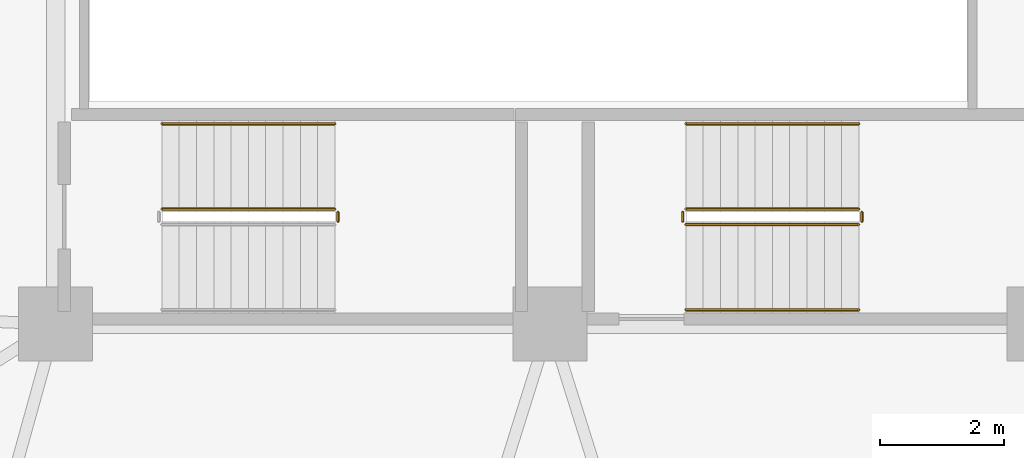
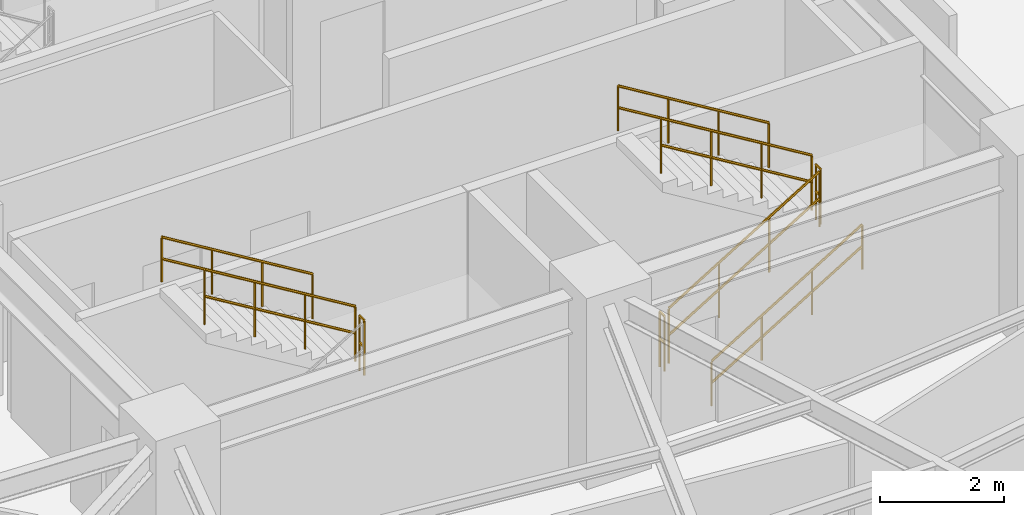
# One storey, part 29 of 31: 9 railings.
"""IFC4 building model written with IfcOpenShell, lengths in metres."""

from ifc_helpers import new_model, si_unit, direction, frame, origin, place, context, subcontext, project, spatial, polyline, outline, extrude, material, type_object, element, save


model = new_model("IFC4")

# Units and contexts
model_context = context("Model", 3, precision=1e-05, world=origin(), true_north=direction((0.0, 1.0)))
body_context = subcontext(model_context, "Body", "Model", "MODEL_VIEW")
ifc_project = project(units=[si_unit("LENGTHUNIT", "METRE"), si_unit("AREAUNIT", "SQUARE_METRE"), si_unit("VOLUMEUNIT", "CUBIC_METRE"), si_unit("PLANEANGLEUNIT", "RADIAN"), si_unit("MASSUNIT", "GRAM", prefix="KILO")], contexts=[model_context])

# Site, building, storey
site_placement = place(None, origin())
site = spatial("IfcSite", under=ifc_project, at=site_placement, CompositionType="ELEMENT")
building_placement = place(site_placement, origin())
building = spatial("IfcBuilding", under=site, at=building_placement, Name="Kelanora Arch Commons", CompositionType="ELEMENT")
storey_placement = place(building_placement, frame((0.0, 0.0, 193.199951171875)))
storey = spatial("IfcBuildingStorey", under=building, at=storey_placement, Name="L49", CompositionType="ELEMENT", Elevation=193.199951171875)

# Railings
ifc_material_1 = material(Name="Painted steel stair well guard", Category="steel")
railing_type_1 = type_object("IfcRailingType", Name="RAIL-STAIR-GRD", PredefinedType="GUARDRAIL", material=ifc_material_1)
railing_1_placement = place(storey_placement, frame((76.199951171875, 52.610107421875, 0.17041015625)))
element("IfcRailing", 1, at=railing_1_placement, inside=storey, type_object=railing_type_1, Name="L49 ST-T2 stair guard 1", PredefinedType="GUARDRAIL", context=body_context, shape_type="SweptSolid", body=[
    extrude(outline(polyline([(0.02392578125, 0.0), (0.011962890625, 0.020751953125), (-0.011962890625, 0.020751953125), (-0.02392578125, 0.0), (-0.011962890625, -0.020751953125), (0.011962890625, -0.020751953125), (0.02392578125, 0.0)])), frame((0.0, 0.0, 1.076171875), z_axis=(0.854169791009, 0.0, 0.51999420009), x_axis=(0.0, 1.0, 0.0)), (0.0, 0.0, 1.0), 3.278076171875),
    extrude(outline(polyline([(0.02392578125, 0.0), (0.011962890625, 0.020751953125), (-0.011962890625, 0.020751953125), (-0.02392578125, 0.0), (-0.011962890625, -0.020751953125), (0.011962890625, -0.020751953125), (0.02392578125, 0.0)])), frame((0.0, 0.0, 0.550048828125), z_axis=(0.854169791009, 0.0, 0.51999420009), x_axis=(0.0, 1.0, 0.0)), (0.0, 0.0, 1.0), 3.278076171875),
    extrude(outline(polyline([(0.02099609375, 0.0), (0.010498046875, 0.01806640625), (-0.010498046875, 0.01806640625), (-0.02099609375, 0.0), (-0.010498046875, -0.01806640625), (0.010498046875, -0.01806640625), (0.02099609375, 0.0)])), origin(), (0.0, 0.0, 1.0), 1.052001953125),
    extrude(outline(polyline([(0.02099609375, 0.0), (0.010498046875, 0.01806640625), (-0.010498046875, 0.01806640625), (-0.02099609375, 0.0), (-0.010498046875, -0.01806640625), (0.010498046875, -0.01806640625), (0.02099609375, 0.0)])), frame((0.933349609375, 0.0, 0.568115234375)), (0.0, 0.0, 1.0), 1.052001953125),
    extrude(outline(polyline([(0.02099609375, 0.0), (0.010498046875, 0.01806640625), (-0.010498046875, 0.01806640625), (-0.02099609375, 0.0), (-0.010498046875, -0.01806640625), (0.010498046875, -0.01806640625), (0.02099609375, 0.0)])), frame((1.86669921875, 0.0, 1.136474609375)), (0.0, 0.0, 1.0), 1.052001953125),
    extrude(outline(polyline([(0.02099609375, 0.0), (0.010498046875, 0.01806640625), (-0.010498046875, 0.01806640625), (-0.02099609375, 0.0), (-0.010498046875, -0.01806640625), (0.010498046875, -0.01806640625), (0.02099609375, 0.0)])), frame((2.800048828125, 0.0, 1.70458984375)), (0.0, 0.0, 1.0), 1.052001953125),
])
railing_2_placement = place(storey_placement, frame((79.050048828125, 52.659912109375, 1.875)))
element("IfcRailing", 2, at=railing_2_placement, inside=storey, type_object=railing_type_1, Name="L49 ST-T2 stair guard 2", PredefinedType="GUARDRAIL", context=body_context, shape_type="SweptSolid", body=[
    extrude(outline(polyline([(0.02392578125, 0.0), (0.011962890625, 0.020751953125), (-0.011962890625, 0.020751953125), (-0.02392578125, 0.0), (-0.011962890625, -0.020751953125), (0.011962890625, -0.020751953125), (0.02392578125, 0.0)])), frame((0.0, 0.0, 1.076171875), z_axis=(0.0, 1.0, 0.0), x_axis=(-1.0, 0.0, 0.0)), (0.0, 0.0, 1.0), 0.150146484375),
    extrude(outline(polyline([(0.02392578125, 0.0), (0.011962890625, 0.020751953125), (-0.011962890625, 0.020751953125), (-0.02392578125, 0.0), (-0.011962890625, -0.020751953125), (0.011962890625, -0.020751953125), (0.02392578125, 0.0)])), frame((0.0, 0.0, 0.550048828125), z_axis=(0.0, 1.0, 0.0), x_axis=(-1.0, 0.0, 0.0)), (0.0, 0.0, 1.0), 0.150146484375),
    extrude(outline(polyline([(0.02099609375, 0.0), (0.010498046875, 0.01806640625), (-0.010498046875, 0.01806640625), (-0.02099609375, 0.0), (-0.010498046875, -0.01806640625), (0.010498046875, -0.01806640625), (0.02099609375, 0.0)])), origin(), (0.0, 0.0, 1.0), 1.052001953125),
    extrude(outline(polyline([(0.02099609375, 0.0), (0.010498046875, 0.01806640625), (-0.010498046875, 0.01806640625), (-0.02099609375, 0.0), (-0.010498046875, -0.01806640625), (0.010498046875, -0.01806640625), (0.02099609375, 0.0)])), frame((0.0, 0.150146484375, 0.0)), (0.0, 0.0, 1.0), 1.052001953125),
])
railing_3_placement = place(storey_placement, frame((79.0, 52.860107421875, 2.04541015625)))
element("IfcRailing", 3, at=railing_3_placement, inside=storey, type_object=railing_type_1, Name="L49 ST-T2 stair guard 3", PredefinedType="GUARDRAIL", context=body_context, shape_type="SweptSolid", body=[
    extrude(outline(polyline([(0.02392578125, 0.0), (0.011962890625, 0.020751953125), (-0.011962890625, 0.020751953125), (-0.02392578125, 0.0), (-0.011962890625, -0.020751953125), (0.011962890625, -0.020751953125), (0.02392578125, 0.0)])), frame((0.0, 0.0, 1.076171875), z_axis=(-0.854169791009, 0.0, 0.51999420009), x_axis=(0.0, -1.0, 0.0)), (0.0, 0.0, 1.0), 3.278076171875),
    extrude(outline(polyline([(0.02392578125, 0.0), (0.011962890625, 0.020751953125), (-0.011962890625, 0.020751953125), (-0.02392578125, 0.0), (-0.011962890625, -0.020751953125), (0.011962890625, -0.020751953125), (0.02392578125, 0.0)])), frame((0.0, 0.0, 0.550048828125), z_axis=(-0.854169791009, 0.0, 0.51999420009), x_axis=(0.0, -1.0, 0.0)), (0.0, 0.0, 1.0), 3.278076171875),
    extrude(outline(polyline([(0.02099609375, 0.0), (0.010498046875, 0.01806640625), (-0.010498046875, 0.01806640625), (-0.02099609375, 0.0), (-0.010498046875, -0.01806640625), (0.010498046875, -0.01806640625), (0.02099609375, 0.0)])), origin(), (0.0, 0.0, 1.0), 1.052001953125),
    extrude(outline(polyline([(0.02099609375, 0.0), (0.010498046875, 0.01806640625), (-0.010498046875, 0.01806640625), (-0.02099609375, 0.0), (-0.010498046875, -0.01806640625), (0.010498046875, -0.01806640625), (0.02099609375, 0.0)])), frame((-0.933349609375, 0.0, 0.568115234375)), (0.0, 0.0, 1.0), 1.052001953125),
    extrude(outline(polyline([(0.02099609375, 0.0), (0.010498046875, 0.01806640625), (-0.010498046875, 0.01806640625), (-0.02099609375, 0.0), (-0.010498046875, -0.01806640625), (0.010498046875, -0.01806640625), (0.02099609375, 0.0)])), frame((-1.86669921875, 0.0, 1.136474609375)), (0.0, 0.0, 1.0), 1.052001953125),
    extrude(outline(polyline([(0.02099609375, 0.0), (0.010498046875, 0.01806640625), (-0.010498046875, 0.01806640625), (-0.02099609375, 0.0), (-0.010498046875, -0.01806640625), (0.010498046875, -0.01806640625), (0.02099609375, 0.0)])), frame((-2.800048828125, 0.0, 1.70458984375)), (0.0, 0.0, 1.0), 1.052001953125),
])
for number, where, name in (
    (4, (76.14990234375, 52.659912109375, 0.0), "L49 ST-T2 stair guard 4"),
    (5, (70.570068359375, 52.659912109375, 1.875), "L49 ST-T3 stair guard 2"),
):
    element("IfcRailing", number, at=place(storey_placement, frame(where)), inside=storey, type_object=railing_type_1, Name=name, PredefinedType="GUARDRAIL", context=body_context, shape_type="SweptSolid", body=[
        extrude(outline(polyline([(0.02392578125, 0.0), (0.011962890625, 0.020751953125), (-0.011962890625, 0.020751953125), (-0.02392578125, 0.0), (-0.011962890625, -0.020751953125), (0.011962890625, -0.020751953125), (0.02392578125, 0.0)])), frame((0.0, 0.0, 1.076171875), z_axis=(0.0, 1.0, 0.0), x_axis=(-1.0, 0.0, 0.0)), (0.0, 0.0, 1.0), 0.150146484375),
        extrude(outline(polyline([(0.02392578125, 0.0), (0.011962890625, 0.020751953125), (-0.011962890625, 0.020751953125), (-0.02392578125, 0.0), (-0.011962890625, -0.020751953125), (0.011962890625, -0.020751953125), (0.02392578125, 0.0)])), frame((0.0, 0.0, 0.550048828125), z_axis=(0.0, 1.0, 0.0), x_axis=(-1.0, 0.0, 0.0)), (0.0, 0.0, 1.0), 0.150146484375),
        extrude(outline(polyline([(0.02099609375, 0.0), (0.010498046875, 0.01806640625), (-0.010498046875, 0.01806640625), (-0.02099609375, 0.0), (-0.010498046875, -0.01806640625), (0.010498046875, -0.01806640625), (0.02099609375, 0.0)])), origin(), (0.0, 0.0, 1.0), 1.052001953125),
        extrude(outline(polyline([(0.02099609375, 0.0), (0.010498046875, 0.01806640625), (-0.010498046875, 0.01806640625), (-0.02099609375, 0.0), (-0.010498046875, -0.01806640625), (0.010498046875, -0.01806640625), (0.02099609375, 0.0)])), frame((0.0, 0.150146484375, 0.0)), (0.0, 0.0, 1.0), 1.052001953125),
    ])
railing_4_placement = place(storey_placement, frame((70.52001953125, 52.860107421875, 2.04541015625)))
element("IfcRailing", 6, at=railing_4_placement, inside=storey, type_object=railing_type_1, Name="L49 ST-T3 stair guard 3", PredefinedType="GUARDRAIL", context=body_context, shape_type="SweptSolid", body=[
    extrude(outline(polyline([(0.02392578125, 0.0), (0.011962890625, 0.020751953125), (-0.011962890625, 0.020751953125), (-0.02392578125, 0.0), (-0.011962890625, -0.020751953125), (0.011962890625, -0.020751953125), (0.02392578125, 0.0)])), frame((0.0, 0.0, 1.076171875), z_axis=(-0.854169791009, 0.0, 0.51999420009), x_axis=(0.0, -1.0, 0.0)), (0.0, 0.0, 1.0), 3.278076171875),
    extrude(outline(polyline([(0.02392578125, 0.0), (0.011962890625, 0.020751953125), (-0.011962890625, 0.020751953125), (-0.02392578125, 0.0), (-0.011962890625, -0.020751953125), (0.011962890625, -0.020751953125), (0.02392578125, 0.0)])), frame((0.0, 0.0, 0.550048828125), z_axis=(-0.854169791009, 0.0, 0.51999420009), x_axis=(0.0, -1.0, 0.0)), (0.0, 0.0, 1.0), 3.278076171875),
    extrude(outline(polyline([(0.02099609375, 0.0), (0.010498046875, 0.01806640625), (-0.010498046875, 0.01806640625), (-0.02099609375, 0.0), (-0.010498046875, -0.01806640625), (0.010498046875, -0.01806640625), (0.02099609375, 0.0)])), origin(), (0.0, 0.0, 1.0), 1.052001953125),
    extrude(outline(polyline([(0.02099609375, 0.0), (0.010498046875, 0.01806640625), (-0.010498046875, 0.01806640625), (-0.02099609375, 0.0), (-0.010498046875, -0.01806640625), (0.010498046875, -0.01806640625), (0.02099609375, 0.0)])), frame((-0.933349609375, 0.0, 0.568115234375)), (0.0, 0.0, 1.0), 1.052001953125),
    extrude(outline(polyline([(0.02099609375, 0.0), (0.010498046875, 0.01806640625), (-0.010498046875, 0.01806640625), (-0.02099609375, 0.0), (-0.010498046875, -0.01806640625), (0.010498046875, -0.01806640625), (0.02099609375, 0.0)])), frame((-1.86669921875, 0.0, 1.136474609375)), (0.0, 0.0, 1.0), 1.052001953125),
    extrude(outline(polyline([(0.02099609375, 0.0), (0.010498046875, 0.01806640625), (-0.010498046875, 0.01806640625), (-0.02099609375, 0.0), (-0.010498046875, -0.01806640625), (0.010498046875, -0.01806640625), (0.02099609375, 0.0)])), frame((-2.800048828125, 0.0, 1.70458984375)), (0.0, 0.0, 1.0), 1.052001953125),
])
ifc_material_2 = material(Name="Brushed stainless steel stair handrail", Category="steel")
railing_type_2 = type_object("IfcRailingType", Name="RAIL-STAIR-HND", PredefinedType="HANDRAIL", material=ifc_material_2)
railing_5_placement = place(storey_placement, frame((76.199951171875, 51.22998046875, 0.17041015625)))
element("IfcRailing", 7, at=railing_5_placement, inside=storey, type_object=railing_type_2, Name="L49 ST-T2 stair handrail 1", PredefinedType="HANDRAIL", context=body_context, shape_type="SweptSolid", body=[
    extrude(outline(polyline([(0.02392578125, 0.0), (0.011962890625, 0.020751953125), (-0.011962890625, 0.020751953125), (-0.02392578125, 0.0), (-0.011962890625, -0.020751953125), (0.011962890625, -0.020751953125), (0.02392578125, 0.0)])), frame((0.0, 0.0, 0.8759765625), z_axis=(0.854169791009, 0.0, 0.51999420009), x_axis=(0.0, 1.0, 0.0)), (0.0, 0.0, 1.0), 3.278076171875),
    extrude(outline(polyline([(0.02392578125, 0.0), (0.011962890625, 0.020751953125), (-0.011962890625, 0.020751953125), (-0.02392578125, 0.0), (-0.011962890625, -0.020751953125), (0.011962890625, -0.020751953125), (0.02392578125, 0.0)])), frame((0.0, 0.0, 0.449951171875), z_axis=(0.854169791009, 0.0, 0.51999420009), x_axis=(0.0, 1.0, 0.0)), (0.0, 0.0, 1.0), 3.278076171875),
    extrude(outline(polyline([(0.02099609375, 0.0), (0.010498046875, 0.01806640625), (-0.010498046875, 0.01806640625), (-0.02099609375, 0.0), (-0.010498046875, -0.01806640625), (0.010498046875, -0.01806640625), (0.02099609375, 0.0)])), origin(), (0.0, 0.0, 1.0), 0.851806640625),
    extrude(outline(polyline([(0.02099609375, 0.0), (0.010498046875, 0.01806640625), (-0.010498046875, 0.01806640625), (-0.02099609375, 0.0), (-0.010498046875, -0.01806640625), (0.010498046875, -0.01806640625), (0.02099609375, 0.0)])), frame((0.933349609375, 0.0, 0.568115234375)), (0.0, 0.0, 1.0), 0.851806640625),
    extrude(outline(polyline([(0.02099609375, 0.0), (0.010498046875, 0.01806640625), (-0.010498046875, 0.01806640625), (-0.02099609375, 0.0), (-0.010498046875, -0.01806640625), (0.010498046875, -0.01806640625), (0.02099609375, 0.0)])), frame((1.86669921875, 0.0, 1.136474609375)), (0.0, 0.0, 1.0), 0.851806640625),
    extrude(outline(polyline([(0.02099609375, 0.0), (0.010498046875, 0.01806640625), (-0.010498046875, 0.01806640625), (-0.02099609375, 0.0), (-0.010498046875, -0.01806640625), (0.010498046875, -0.01806640625), (0.02099609375, 0.0)])), frame((2.800048828125, 0.0, 1.70458984375)), (0.0, 0.0, 1.0), 0.851806640625),
])
railing_6_placement = place(storey_placement, frame((79.0, 54.239990234375, 2.04541015625)))
element("IfcRailing", 8, at=railing_6_placement, inside=storey, type_object=railing_type_2, Name="L49 ST-T2 stair handrail 2", PredefinedType="HANDRAIL", context=body_context, shape_type="SweptSolid", body=[
    extrude(outline(polyline([(0.02392578125, 0.0), (0.011962890625, 0.020751953125), (-0.011962890625, 0.020751953125), (-0.02392578125, 0.0), (-0.011962890625, -0.020751953125), (0.011962890625, -0.020751953125), (0.02392578125, 0.0)])), frame((0.0, 0.0, 0.8759765625), z_axis=(-0.854169791009, 0.0, 0.51999420009), x_axis=(0.0, -1.0, 0.0)), (0.0, 0.0, 1.0), 3.278076171875),
    extrude(outline(polyline([(0.02392578125, 0.0), (0.011962890625, 0.020751953125), (-0.011962890625, 0.020751953125), (-0.02392578125, 0.0), (-0.011962890625, -0.020751953125), (0.011962890625, -0.020751953125), (0.02392578125, 0.0)])), frame((0.0, 0.0, 0.449951171875), z_axis=(-0.854169791009, 0.0, 0.51999420009), x_axis=(0.0, -1.0, 0.0)), (0.0, 0.0, 1.0), 3.278076171875),
    extrude(outline(polyline([(0.02099609375, 0.0), (0.010498046875, 0.01806640625), (-0.010498046875, 0.01806640625), (-0.02099609375, 0.0), (-0.010498046875, -0.01806640625), (0.010498046875, -0.01806640625), (0.02099609375, 0.0)])), origin(), (0.0, 0.0, 1.0), 0.851806640625),
    extrude(outline(polyline([(0.02099609375, 0.0), (0.010498046875, 0.01806640625), (-0.010498046875, 0.01806640625), (-0.02099609375, 0.0), (-0.010498046875, -0.01806640625), (0.010498046875, -0.01806640625), (0.02099609375, 0.0)])), frame((-0.933349609375, 0.0, 0.568115234375)), (0.0, 0.0, 1.0), 0.851806640625),
    extrude(outline(polyline([(0.02099609375, 0.0), (0.010498046875, 0.01806640625), (-0.010498046875, 0.01806640625), (-0.02099609375, 0.0), (-0.010498046875, -0.01806640625), (0.010498046875, -0.01806640625), (0.02099609375, 0.0)])), frame((-1.86669921875, 0.0, 1.136474609375)), (0.0, 0.0, 1.0), 0.851806640625),
    extrude(outline(polyline([(0.02099609375, 0.0), (0.010498046875, 0.01806640625), (-0.010498046875, 0.01806640625), (-0.02099609375, 0.0), (-0.010498046875, -0.01806640625), (0.010498046875, -0.01806640625), (0.02099609375, 0.0)])), frame((-2.800048828125, 0.0, 1.70458984375)), (0.0, 0.0, 1.0), 0.851806640625),
])
railing_7_placement = place(storey_placement, frame((70.52001953125, 54.239990234375, 2.04541015625)))
element("IfcRailing", 9, at=railing_7_placement, inside=storey, type_object=railing_type_2, Name="L49 ST-T3 stair handrail 2", PredefinedType="HANDRAIL", context=body_context, shape_type="SweptSolid", body=[
    extrude(outline(polyline([(0.02392578125, 0.0), (0.011962890625, 0.020751953125), (-0.011962890625, 0.020751953125), (-0.02392578125, 0.0), (-0.011962890625, -0.020751953125), (0.011962890625, -0.020751953125), (0.02392578125, 0.0)])), frame((0.0, 0.0, 0.8759765625), z_axis=(-0.854169791009, 0.0, 0.51999420009), x_axis=(0.0, -1.0, 0.0)), (0.0, 0.0, 1.0), 3.278076171875),
    extrude(outline(polyline([(0.02392578125, 0.0), (0.011962890625, 0.020751953125), (-0.011962890625, 0.020751953125), (-0.02392578125, 0.0), (-0.011962890625, -0.020751953125), (0.011962890625, -0.020751953125), (0.02392578125, 0.0)])), frame((0.0, 0.0, 0.449951171875), z_axis=(-0.854169791009, 0.0, 0.51999420009), x_axis=(0.0, -1.0, 0.0)), (0.0, 0.0, 1.0), 3.278076171875),
    extrude(outline(polyline([(0.02099609375, 0.0), (0.010498046875, 0.01806640625), (-0.010498046875, 0.01806640625), (-0.02099609375, 0.0), (-0.010498046875, -0.01806640625), (0.010498046875, -0.01806640625), (0.02099609375, 0.0)])), origin(), (0.0, 0.0, 1.0), 0.851806640625),
    extrude(outline(polyline([(0.02099609375, 0.0), (0.010498046875, 0.01806640625), (-0.010498046875, 0.01806640625), (-0.02099609375, 0.0), (-0.010498046875, -0.01806640625), (0.010498046875, -0.01806640625), (0.02099609375, 0.0)])), frame((-0.933349609375, 0.0, 0.568115234375)), (0.0, 0.0, 1.0), 0.851806640625),
    extrude(outline(polyline([(0.02099609375, 0.0), (0.010498046875, 0.01806640625), (-0.010498046875, 0.01806640625), (-0.02099609375, 0.0), (-0.010498046875, -0.01806640625), (0.010498046875, -0.01806640625), (0.02099609375, 0.0)])), frame((-1.86669921875, 0.0, 1.136474609375)), (0.0, 0.0, 1.0), 0.851806640625),
    extrude(outline(polyline([(0.02099609375, 0.0), (0.010498046875, 0.01806640625), (-0.010498046875, 0.01806640625), (-0.02099609375, 0.0), (-0.010498046875, -0.01806640625), (0.010498046875, -0.01806640625), (0.02099609375, 0.0)])), frame((-2.800048828125, 0.0, 1.70458984375)), (0.0, 0.0, 1.0), 0.851806640625),
])

save(model, "model.ifc")
